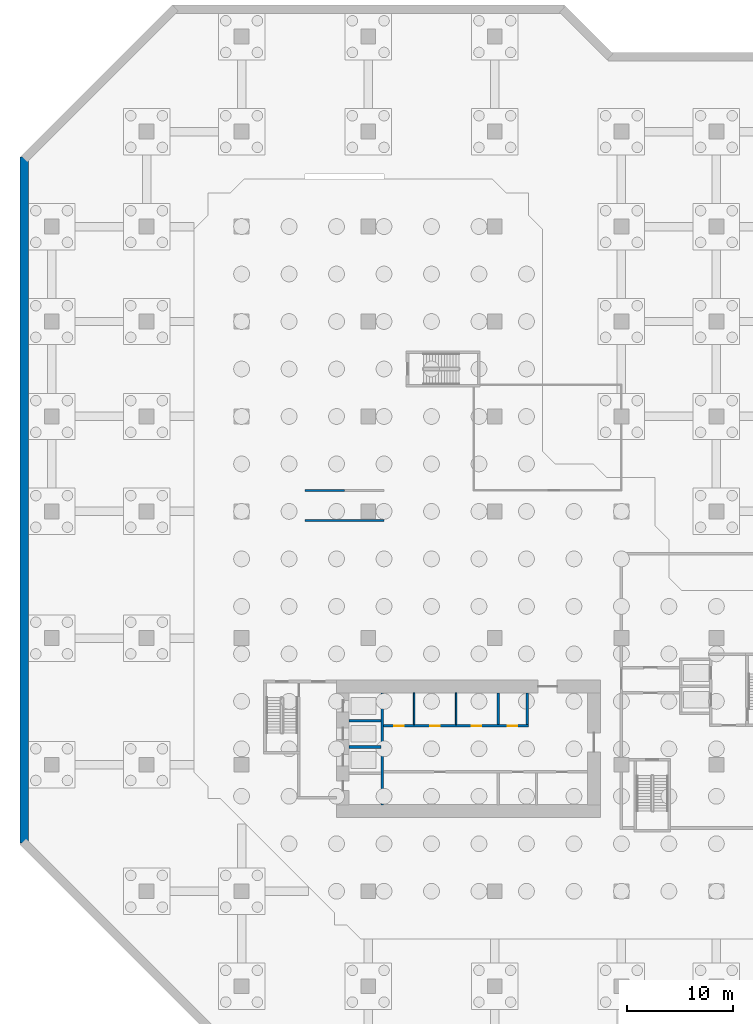
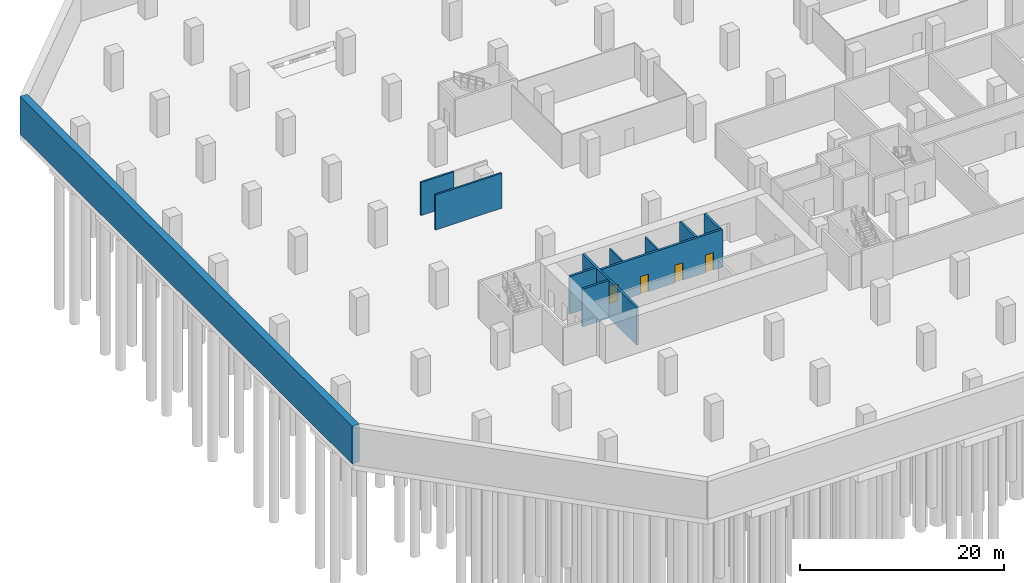
# One storey, part 7 of 13: 11 walls, 4 doors, 4 openings.
"""IFC4 building model written with IfcOpenShell, lengths in metres."""

from ifc_helpers import new_model, si_unit, direction, frame, frame_2d, origin, place, context, subcontext, project, spatial, rectangle, extrude, material, layer, layer_set, type_object, element, fill, save


model = new_model("IFC4")

# Units and contexts
model_context = context("Model", 3, precision=1e-05, world=origin(), true_north=direction((0.0, 1.0)))
body_context = subcontext(model_context, "Body", "Model", "MODEL_VIEW")
ifc_project = project(units=[si_unit("LENGTHUNIT", "METRE"), si_unit("AREAUNIT", "SQUARE_METRE"), si_unit("VOLUMEUNIT", "CUBIC_METRE"), si_unit("PLANEANGLEUNIT", "RADIAN"), si_unit("MASSUNIT", "GRAM", prefix="KILO")], contexts=[model_context])

# Site, building, storey
site_placement = place(None, origin())
site = spatial("IfcSite", under=ifc_project, at=site_placement, CompositionType="ELEMENT")
building_placement = place(site_placement, origin())
building = spatial("IfcBuilding", under=site, at=building_placement, Name="Chenar Terraces", CompositionType="ELEMENT")
storey_placement = place(building_placement, frame((0.0, 0.0, -13.5)))
storey = spatial("IfcBuildingStorey", under=building, at=storey_placement, Name="B3", CompositionType="ELEMENT", Elevation=-13.5)

# Walls
ifc_material_1 = material(Name="Gypsum board on steel studs", Category="steel")
ifc_layer_1 = layer(ifc_material_1, 0.14990234375)
ifc_layer_set_1 = layer_set([ifc_layer_1], Name="Gypsum board on steel studs")
wall_type_1 = type_object("IfcWallType", Name="Core partition 150 gypsum board", PredefinedType="PARTITIONING", material=ifc_layer_set_1)
for number, where, z_axis, x_axis, name in (
    (1, (16.3525390625, 15.800048828125, 0.0), (0.0, 0.0, 1.0), (0.0, 1.0, 0.0), "Core partition CP1 freed bay wall"),
    (2, (20.330078125, 15.800048828125, 0.0), (0.0, 0.0, 1.0), (0.0, 1.0, 0.0), "Core partition CP1 freed bay wall"),
):
    element("IfcWall", number, at=place(storey_placement, frame(where, z_axis=z_axis, x_axis=x_axis)), inside=storey, type_object=wall_type_1, Name=name, PredefinedType="PARTITIONING", context=body_context, shape_type="SweptSolid", body=[
        extrude(rectangle(XDim=3.0, YDim=0.14990234375, at=frame_2d((1.5, 0.0))), origin(), (0.0, 0.0, 1.0), 4.050048828125),
    ])
ifc_material_2 = material(Name="Concrete C70/85", Category="concrete")
ifc_layer_2 = layer(ifc_material_2, 0.25)
ifc_layer_set_2 = layer_set([ifc_layer_2], Name="Concrete C70/85")
wall_type_2 = type_object("IfcWallType", Name="Core wall 250 Concrete C70/85", PredefinedType="SHEAR", material=ifc_layer_set_2)
wall_1_placement = place(storey_placement, frame((13.324951171875, 8.199951171875, 0.0), z_axis=(0.0, 0.0, 1.0), x_axis=(0.0, 1.0, 0.0)))
element("IfcWall", 3, at=wall_1_placement, inside=storey, type_object=wall_type_2, Name="Core wall WI B3", PredefinedType="SHEAR", context=body_context, shape_type="SweptSolid", body=[
    extrude(rectangle(XDim=10.60009765625, YDim=0.25, at=frame_2d((5.300048828125, 0.0))), origin(), (0.0, 0.0, 1.0), 4.5),
])

# Wall, openings, doors
wall_2_placement = place(storey_placement, frame((13.449951171875, 15.675048828125, 0.0), z_axis=(0.0, 0.0, 1.0), x_axis=(1.0, 0.0, 0.0)))
wall_2 = element("IfcWall", 4, at=wall_2_placement, inside=storey, type_object=wall_type_2, Name="Core wall NF B3", PredefinedType="SHEAR", context=body_context, shape_type="SweptSolid", body=[
    extrude(rectangle(XDim=13.75, YDim=0.25, at=frame_2d((6.875, 0.0))), origin(), (0.0, 0.0, 1.0), 4.5),
])
opening_1_placement = place(wall_2_placement, frame((1.001220703125, 0.0, 0.0)))
opening_1 = element("IfcOpeningElement", 5, at=opening_1_placement, cuts=wall_2, Name="Opening DB3-C15", PredefinedType="OPENING", context=body_context, shape_type="SweptSolid", body=[
    extrude(rectangle(XDim=0.89990234375, YDim=2.10009765625, at=frame_2d((0.449951171875, 1.050048828125))), frame((0.0, 0.135009765625, 0.0), z_axis=(0.0, -1.0, 0.0), x_axis=(1.0, 0.0, 0.0)), (0.0, 0.0, 1.0), 0.27001953125),
])
opening_2_placement = place(wall_2_placement, frame((4.44140625, 0.0, 0.0)))
opening_2 = element("IfcOpeningElement", 6, at=opening_2_placement, cuts=wall_2, Name="Opening DB3-C16", PredefinedType="OPENING", context=body_context, shape_type="SweptSolid", body=[
    extrude(rectangle(XDim=0.89990234375, YDim=2.10009765625, at=frame_2d((0.449951171875, 1.050048828125))), frame((0.0, 0.135009765625, 0.0), z_axis=(0.0, -1.0, 0.0), x_axis=(1.0, 0.0, 0.0)), (0.0, 0.0, 1.0), 0.27001953125),
])
opening_3_placement = place(wall_2_placement, frame((8.364990234375, 0.0, 0.0)))
opening_3 = element("IfcOpeningElement", 7, at=opening_3_placement, cuts=wall_2, Name="Opening DB3-C17", PredefinedType="OPENING", context=body_context, shape_type="SweptSolid", body=[
    extrude(rectangle(XDim=0.89990234375, YDim=2.10009765625, at=frame_2d((0.449951171875, 1.050048828125))), frame((0.0, 0.135009765625, 0.0), z_axis=(0.0, -1.0, 0.0), x_axis=(1.0, 0.0, 0.0)), (0.0, 0.0, 1.0), 0.27001953125),
])
opening_4_placement = place(wall_2_placement, frame((11.800048828125, 0.0, 0.0)))
opening_4 = element("IfcOpeningElement", 8, at=opening_4_placement, cuts=wall_2, Name="Opening DB3-C18", PredefinedType="OPENING", context=body_context, shape_type="SweptSolid", body=[
    extrude(rectangle(XDim=0.89990234375, YDim=2.10009765625, at=frame_2d((0.449951171875, 1.050048828125))), frame((0.0, 0.135009765625, 0.0), z_axis=(0.0, -1.0, 0.0), x_axis=(1.0, 0.0, 0.0)), (0.0, 0.0, 1.0), 0.27001953125),
])
ifc_material_3 = material(Name="Steel-framed fire-resisting door leaf", Category="steel")
door_type = type_object("IfcDoorType", Name="Riser fire door FD60 900 x 2100", OperationType="SINGLE_SWING_LEFT", PredefinedType="DOOR", material=ifc_material_3)
door_1_placement = place(opening_1_placement, origin())
door_1 = element("IfcDoor", 9, at=door_1_placement, inside=storey, type_object=door_type, Name="Core room door DB3-C15", OperationType="SINGLE_SWING_RIGHT", OverallHeight=2.10009765625, OverallWidth=0.89990234375, PredefinedType="DOOR", context=body_context, shape_type="SweptSolid", body=[
    extrude(rectangle(XDim=0.89990234375, YDim=2.10009765625, at=frame_2d((0.449951171875, 1.050048828125))), frame((0.0, 0.02490234375, 0.0), z_axis=(0.0, -1.0, 0.0), x_axis=(1.0, 0.0, 0.0)), (0.0, 0.0, 1.0), 0.050048828125),
])
fill(opening_1, door_1)
door_2_placement = place(opening_2_placement, origin())
door_2 = element("IfcDoor", 10, at=door_2_placement, inside=storey, type_object=door_type, Name="Core room door DB3-C16", OperationType="SINGLE_SWING_LEFT", OverallHeight=2.10009765625, OverallWidth=0.89990234375, PredefinedType="DOOR", context=body_context, shape_type="SweptSolid", body=[
    extrude(rectangle(XDim=0.89990234375, YDim=2.10009765625, at=frame_2d((0.449951171875, 1.050048828125))), frame((0.0, 0.02490234375, 0.0), z_axis=(0.0, -1.0, 0.0), x_axis=(1.0, 0.0, 0.0)), (0.0, 0.0, 1.0), 0.050048828125),
])
fill(opening_2, door_2)
door_3_placement = place(opening_3_placement, origin())
door_3 = element("IfcDoor", 11, at=door_3_placement, inside=storey, type_object=door_type, Name="Core room door DB3-C17", OperationType="SINGLE_SWING_LEFT", OverallHeight=2.10009765625, OverallWidth=0.89990234375, PredefinedType="DOOR", context=body_context, shape_type="SweptSolid", body=[
    extrude(rectangle(XDim=0.89990234375, YDim=2.10009765625, at=frame_2d((0.449951171875, 1.050048828125))), frame((0.0, 0.02490234375, 0.0), z_axis=(0.0, -1.0, 0.0), x_axis=(1.0, 0.0, 0.0)), (0.0, 0.0, 1.0), 0.050048828125),
])
fill(opening_3, door_3)
door_4_placement = place(opening_4_placement, origin())
door_4 = element("IfcDoor", 12, at=door_4_placement, inside=storey, type_object=door_type, Name="Core room door DB3-C18", OperationType="SINGLE_SWING_LEFT", OverallHeight=2.10009765625, OverallWidth=0.89990234375, PredefinedType="DOOR", context=body_context, shape_type="SweptSolid", body=[
    extrude(rectangle(XDim=0.89990234375, YDim=2.10009765625, at=frame_2d((0.449951171875, 1.050048828125))), frame((0.0, 0.02490234375, 0.0), z_axis=(0.0, -1.0, 0.0), x_axis=(1.0, 0.0, 0.0)), (0.0, 0.0, 1.0), 0.050048828125),
])
fill(opening_4, door_4)

# Walls
for number, where, z_axis, x_axis, name in (
    (13, (10.199951171875, 13.675048828125, 0.0), (0.0, 0.0, 1.0), (1.0, 0.0, 0.0), "Core wall HW1 B3"),
    (14, (10.199951171875, 16.175048828125, 0.0), (0.0, 0.0, 1.0), (1.0, 0.0, 0.0), "Core wall HW2 B3"),
    (15, (24.324951171875, 15.800048828125, 0.0), (0.0, 0.0, 1.0), (0.0, 1.0, 0.0), "Core wall NS3 B3"),
    (16, (27.074951171875, 15.800048828125, 0.0), (0.0, 0.0, 1.0), (0.0, 1.0, 0.0), "Core wall NE B3"),
):
    element("IfcWall", number, at=place(storey_placement, frame(where, z_axis=z_axis, x_axis=x_axis)), inside=storey, type_object=wall_type_2, Name=name, PredefinedType="SHEAR", context=body_context, shape_type="SweptSolid", body=[
        extrude(rectangle(XDim=3.0, YDim=0.25, at=frame_2d((1.5, 0.0))), origin(), (0.0, 0.0, 1.0), 4.5),
    ])
ifc_material_4 = material(Name="Concrete C40/50", Category="concrete")
ifc_layer_3 = layer(ifc_material_4, 0.800048828125)
ifc_layer_set_3 = layer_set([ifc_layer_3], Name="Concrete C40/50")
wall_type_3 = type_object("IfcWallType", Name="Diaphragm wall 800 Concrete C40/50", PredefinedType="SOLIDWALL", material=ifc_layer_set_3)
wall_3_placement = place(storey_placement, frame((-20.60009765625, 69.5771484375, 0.0), z_axis=(0.0, 0.0, 1.0), x_axis=(0.0, -1.0, 0.0)))
element("IfcWall", 17, at=wall_3_placement, inside=storey, type_object=wall_type_3, Name="Diaphragm wall B3 4", PredefinedType="SOLIDWALL", context=body_context, shape_type="SweptSolid", body=[
    extrude(rectangle(XDim=64.98876953125, YDim=0.800048828125, at=frame_2d((32.494384765625, 0.0))), origin(), (0.0, 0.0, 1.0), 4.5),
])
ifc_material_5 = material(Name="Reinforced concrete C40/50", Category="concrete")
ifc_layer_4 = layer(ifc_material_5, 0.199951171875)
ifc_layer_set_4 = layer_set([ifc_layer_4], Name="Reinforced concrete C40/50")
wall_type_4 = type_object("IfcWallType", Name="Ramp bearing wall 200 concrete", PredefinedType="SOLIDWALL", material=ifc_layer_set_4)
wall_4_placement = place(storey_placement, frame((6.0, 38.0, 0.0), z_axis=(0.0, 0.0, 1.0), x_axis=(1.0, 0.0, 0.0)))
element("IfcWall", 18, at=wall_4_placement, inside=storey, type_object=wall_type_4, Name="Ramp bearing wall", PredefinedType="SOLIDWALL", context=body_context, shape_type="SweptSolid", body=[
    extrude(rectangle(XDim=3.75, YDim=0.199951171875, at=frame_2d((1.875, 0.0))), origin(), (0.0, 0.0, 1.0), 3.949951171875),
])
wall_5_placement = place(storey_placement, frame((6.0, 35.14990234375, 0.0), z_axis=(0.0, 0.0, 1.0), x_axis=(1.0, 0.0, 0.0)))
element("IfcWall", 19, at=wall_5_placement, inside=storey, type_object=wall_type_4, Name="Ramp head wall", PredefinedType="SOLIDWALL", context=body_context, shape_type="SweptSolid", body=[
    extrude(rectangle(XDim=7.5, YDim=0.199951171875, at=frame_2d((3.75, 0.0))), origin(), (0.0, 0.0, 1.0), 4.1875),
])

save(model, "model.ifc")
